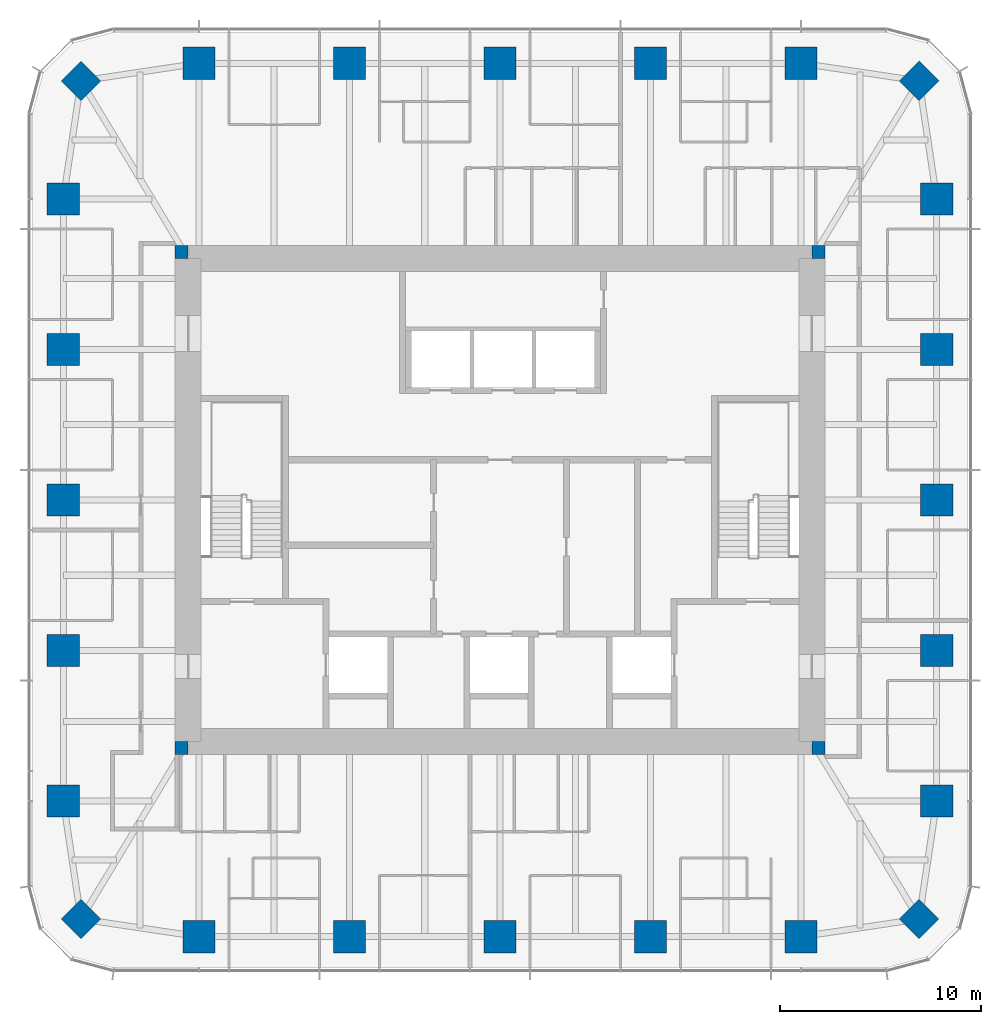
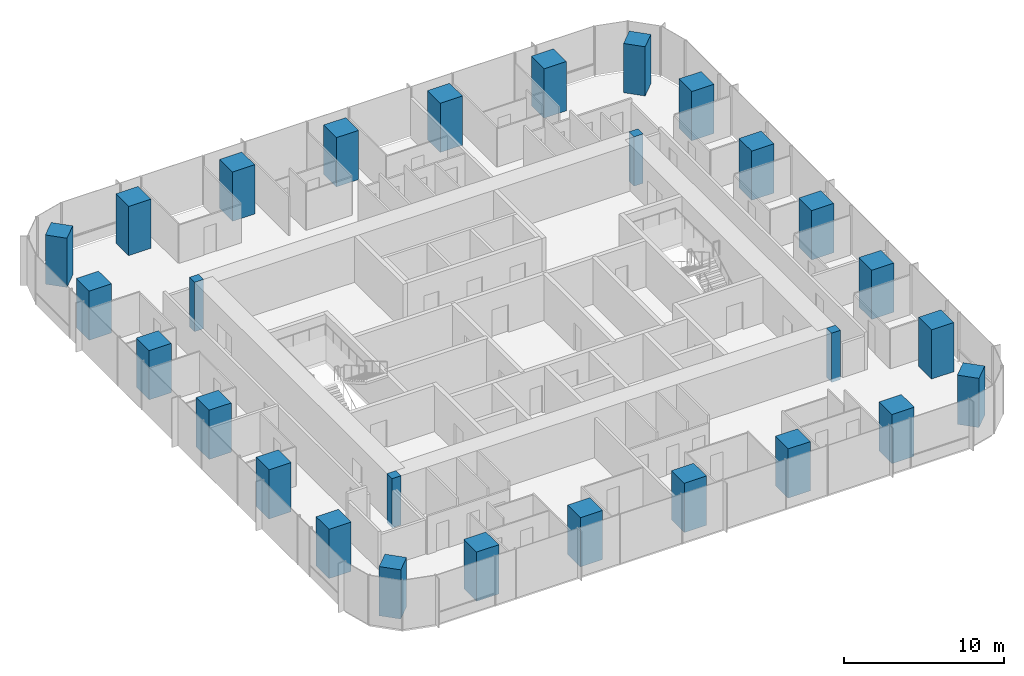
# One storey, part 1 of 12: 28 columns.
"""IFC4 building model written with IfcOpenShell, lengths in metres."""

from ifc_helpers import new_model, si_unit, direction, frame, origin, origin_2d, place, context, subcontext, project, spatial, rectangle, extrude, material, material_profile, profile_set, type_object, element, save


model = new_model("IFC4")

# Units and contexts
model_context = context("Model", 3, precision=1e-05, world=origin(), true_north=direction((0.0, 1.0)))
body_context = subcontext(model_context, "Body", "Model", "MODEL_VIEW")
ifc_project = project(units=[si_unit("LENGTHUNIT", "METRE"), si_unit("AREAUNIT", "SQUARE_METRE"), si_unit("VOLUMEUNIT", "CUBIC_METRE"), si_unit("PLANEANGLEUNIT", "RADIAN"), si_unit("MASSUNIT", "GRAM", prefix="KILO")], contexts=[model_context])

# Site, building, storey
site_placement = place(None, origin())
site = spatial("IfcSite", under=ifc_project, at=site_placement, CompositionType="ELEMENT")
building_placement = place(site_placement, origin())
building = spatial("IfcBuilding", under=site, at=building_placement, Name="Khuree Lantern Residences", CompositionType="ELEMENT")
storey_placement = place(building_placement, frame((0.0, 0.0, 323.25)))
storey = spatial("IfcBuildingStorey", under=building, at=storey_placement, Name="L81", CompositionType="ELEMENT", Elevation=323.25)

# Columns
ifc_material_1 = material(Name="Concrete C70/85", Category="concrete")
ifc_material_profile_1 = material_profile(ifc_material_1, rectangle(XDim=1.39990234375, YDim=1.39990234375, at=origin_2d()), Name="RC 1400X1400")
ifc_profile_set_1 = profile_set([ifc_material_profile_1], Name="Concrete C70/85")
column_type_1 = type_object("IfcColumnType", Name="CC1400 PERIMETER CORNER COLUMN RC 1400X1400", PredefinedType="COLUMN", material=ifc_profile_set_1)
for number, where, z_axis, x_axis, name in (
    (1, (20.8212890625, 20.8212890625, 0.0), (0.0, 0.0, 1.0), (0.707106781187, -0.707106781187, 0.0), "Perimeter column NE"),
    (2, (20.8212890625, -20.8212890625, 0.0), (0.0, 0.0, 1.0), (0.707106781187, 0.707106781187, 0.0), "Perimeter column SE"),
    (3, (-20.8212890625, -20.8212890625, 0.0), (0.0, 0.0, 1.0), (0.707106781187, -0.707106781187, 0.0), "Perimeter column SW"),
    (4, (-20.8212890625, 20.8212890625, 0.0), (0.0, 0.0, 1.0), (0.707106781187, 0.707106781187, 0.0), "Perimeter column NW"),
):
    element("IfcColumn", number, at=place(storey_placement, frame(where, z_axis=z_axis, x_axis=x_axis)), inside=storey, type_object=column_type_1, Name=name, PredefinedType="COLUMN", context=body_context, shape_type="SweptSolid", body=[
        extrude(rectangle(XDim=1.39990234375, YDim=1.39990234375, at=origin_2d()), origin(), (0.0, 0.0, 1.0), 3.75),
    ])
ifc_material_2 = material(Name="Concrete C50/60", Category="concrete")
ifc_material_profile_2 = material_profile(ifc_material_2, rectangle(XDim=0.64990234375, YDim=0.64990234375, at=origin_2d()), Name="RC 650X650")
ifc_profile_set_2 = profile_set([ifc_material_profile_2], Name="Concrete C50/60")
column_type_2 = type_object("IfcColumnType", Name="CP650-C50 CORE CORNER PIER C50 RC 650X650", PredefinedType="COLUMN", material=ifc_profile_set_2)
for number, where, z_axis, x_axis, name in (
    (5, (15.824951171875, 12.324951171875, -0.25), (0.0, 0.0, 1.0), (1.0, 0.0, 0.0), "Core corner pier NE"),
    (6, (-15.824951171875, 12.324951171875, -0.25), (0.0, 0.0, 1.0), (1.0, 0.0, 0.0), "Core corner pier NW"),
    (7, (-15.824951171875, -12.324951171875, -0.25), (0.0, 0.0, 1.0), (1.0, 0.0, 0.0), "Core corner pier SW"),
    (8, (15.824951171875, -12.324951171875, -0.25), (0.0, 0.0, 1.0), (1.0, 0.0, 0.0), "Core corner pier SE"),
):
    element("IfcColumn", number, at=place(storey_placement, frame(where, z_axis=z_axis, x_axis=x_axis)), inside=storey, type_object=column_type_2, Name=name, PredefinedType="COLUMN", context=body_context, shape_type="SweptSolid", body=[
        extrude(rectangle(XDim=0.64990234375, YDim=0.64990234375, at=origin_2d()), origin(), (0.0, 0.0, 1.0), 3.75),
    ])
ifc_material_profile_3 = material_profile(ifc_material_1, rectangle(XDim=1.60009765625, YDim=1.60009765625, at=origin_2d()), Name="RC 1600X1600")
ifc_profile_set_3 = profile_set([ifc_material_profile_3], Name="Concrete C70/85")
column_type_3 = type_object("IfcColumnType", Name="PC5 PERIMETER COLUMN RC 1600X1600", PredefinedType="COLUMN", material=ifc_profile_set_3)
for number, where, z_axis, x_axis, name in (
    (9, (-14.9599609375, 21.699951171875, 0.0), (0.0, 0.0, 1.0), (1.0, 0.0, 0.0), "Perimeter column N1"),
    (10, (-7.47998046875, 21.699951171875, 0.0), (0.0, 0.0, 1.0), (1.0, 0.0, 0.0), "Perimeter column N2"),
    (11, (0.0, 21.699951171875, 0.0), (0.0, 0.0, 1.0), (1.0, 0.0, 0.0), "Perimeter column N3"),
    (12, (7.47998046875, 21.699951171875, 0.0), (0.0, 0.0, 1.0), (1.0, 0.0, 0.0), "Perimeter column N4"),
    (13, (14.9599609375, 21.699951171875, 0.0), (0.0, 0.0, 1.0), (1.0, 0.0, 0.0), "Perimeter column N5"),
    (14, (21.699951171875, 14.9599609375, 0.0), (0.0, 0.0, 1.0), (0.0, 1.0, 0.0), "Perimeter column E1"),
    (15, (21.699951171875, 7.47998046875, 0.0), (0.0, 0.0, 1.0), (0.0, 1.0, 0.0), "Perimeter column E2"),
    (16, (21.699951171875, 0.0, 0.0), (0.0, 0.0, 1.0), (0.0, 1.0, 0.0), "Perimeter column E3"),
    (17, (21.699951171875, -7.47998046875, 0.0), (0.0, 0.0, 1.0), (0.0, 1.0, 0.0), "Perimeter column E4"),
    (18, (21.699951171875, -14.9599609375, 0.0), (0.0, 0.0, 1.0), (0.0, 1.0, 0.0), "Perimeter column E5"),
    (19, (14.9599609375, -21.699951171875, 0.0), (0.0, 0.0, 1.0), (1.0, 0.0, 0.0), "Perimeter column S1"),
    (20, (7.47998046875, -21.699951171875, 0.0), (0.0, 0.0, 1.0), (1.0, 0.0, 0.0), "Perimeter column S2"),
    (21, (0.0, -21.699951171875, 0.0), (0.0, 0.0, 1.0), (1.0, 0.0, 0.0), "Perimeter column S3"),
    (22, (-7.47998046875, -21.699951171875, 0.0), (0.0, 0.0, 1.0), (1.0, 0.0, 0.0), "Perimeter column S4"),
    (23, (-14.9599609375, -21.699951171875, 0.0), (0.0, 0.0, 1.0), (1.0, 0.0, 0.0), "Perimeter column S5"),
    (24, (-21.699951171875, -14.9599609375, 0.0), (0.0, 0.0, 1.0), (0.0, 1.0, 0.0), "Perimeter column W1"),
    (25, (-21.699951171875, -7.47998046875, 0.0), (0.0, 0.0, 1.0), (0.0, 1.0, 0.0), "Perimeter column W2"),
    (26, (-21.699951171875, 0.0, 0.0), (0.0, 0.0, 1.0), (0.0, 1.0, 0.0), "Perimeter column W3"),
    (27, (-21.699951171875, 7.47998046875, 0.0), (0.0, 0.0, 1.0), (0.0, 1.0, 0.0), "Perimeter column W4"),
    (28, (-21.699951171875, 14.9599609375, 0.0), (0.0, 0.0, 1.0), (0.0, 1.0, 0.0), "Perimeter column W5"),
):
    element("IfcColumn", number, at=place(storey_placement, frame(where, z_axis=z_axis, x_axis=x_axis)), inside=storey, type_object=column_type_3, Name=name, PredefinedType="COLUMN", context=body_context, shape_type="SweptSolid", body=[
        extrude(rectangle(XDim=1.60009765625, YDim=1.60009765625, at=origin_2d()), origin(), (0.0, 0.0, 1.0), 3.75),
    ])

save(model, "model.ifc")
